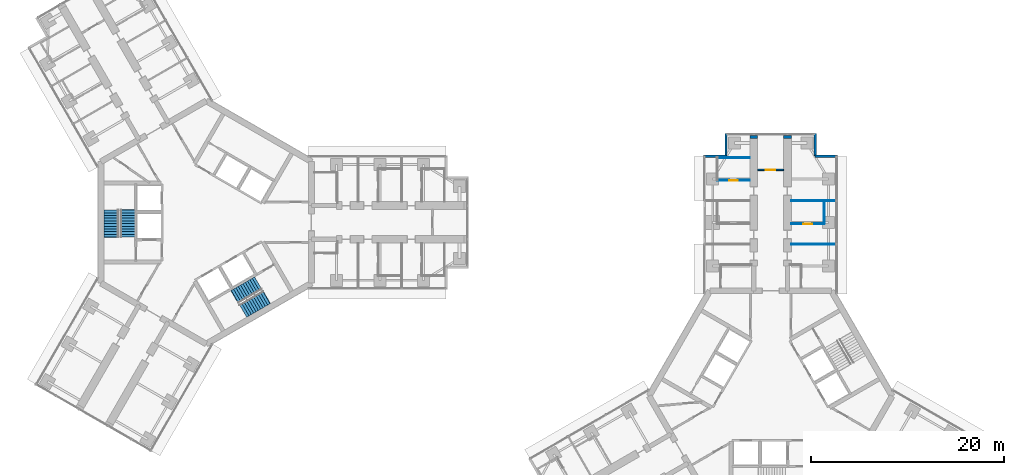
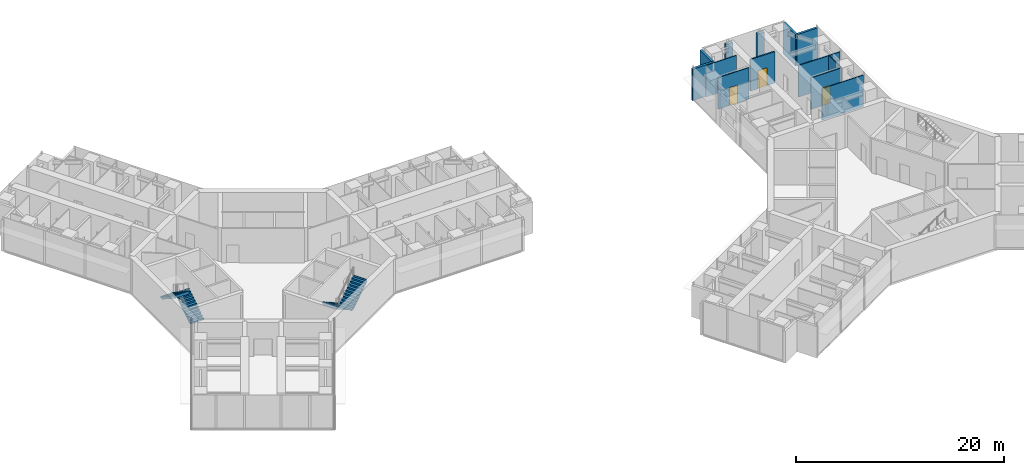
# One storey, part 21 of 23: 13 walls, 4 stair flights, 3 doors, 3 openings, 2 elements without a shape of their own.
"""IFC4 building model written with IfcOpenShell, lengths in metres."""

from ifc_helpers import new_model, si_unit, direction, frame, frame_2d, origin, place, context, subcontext, project, spatial, polyline, rectangle, outline, extrude, material, layer, layer_set, type_object, element, fill, aggregate, save


model = new_model("IFC4")

# Units and contexts
model_context = context("Model", 3, precision=1e-05, world=origin(), true_north=direction((0.0, 1.0)))
body_context = subcontext(model_context, "Body", "Model", "MODEL_VIEW")
ifc_project = project(units=[si_unit("LENGTHUNIT", "METRE"), si_unit("AREAUNIT", "SQUARE_METRE"), si_unit("VOLUMEUNIT", "CUBIC_METRE"), si_unit("PLANEANGLEUNIT", "RADIAN"), si_unit("MASSUNIT", "GRAM", prefix="KILO")], contexts=[model_context])

# Site, building, storey
site_placement = place(None, origin())
site = spatial("IfcSite", under=ifc_project, at=site_placement, CompositionType="ELEMENT")
building_placement = place(site_placement, origin())
building = spatial("IfcBuilding", under=site, at=building_placement, Name="Upepo Twin Towers", CompositionType="ELEMENT")
storey_placement = place(building_placement, frame((0.0, 0.0, 161.5)))
storey = spatial("IfcBuildingStorey", under=building, at=storey_placement, Name="L39", CompositionType="ELEMENT", Elevation=161.5)

# Walls
ifc_material_1 = material(Name="Dense concrete blockwork", Category="masonry")
ifc_layer_1 = layer(ifc_material_1, 0.800048828125)
ifc_layer_set_1 = layer_set([ifc_layer_1], Name="Buttress closer 800, blockwork with fire-stopping to the curtain wall")
wall_type_1 = type_object("IfcWallType", Name="Buttress closer 800, blockwork with fire-stopping to the curtain wall", PredefinedType="PARTITIONING", material=ifc_layer_set_1)
for number, where, z_axis, x_axis, name in (
    (1, (56.75, 8.699951171875, 0.0), (0.0, 0.0, 1.0), (0.0, 1.0, 0.0), "T2 L39 wing A buttress closer L"),
    (2, (60.25, 8.699951171875, 0.0), (0.0, 0.0, 1.0), (0.0, 1.0, 0.0), "T2 L39 wing A buttress closer R"),
):
    element("IfcWall", number, at=place(storey_placement, frame(where, z_axis=z_axis, x_axis=x_axis)), inside=storey, type_object=wall_type_1, Name=name, PredefinedType="PARTITIONING", context=body_context, shape_type="SweptSolid", body=[
        extrude(rectangle(XDim=0.300048828125, YDim=0.800048828125, at=frame_2d((0.14990234375, 0.0))), origin(), (0.0, 0.0, 1.0), 3.699951171875),
    ])
ifc_material_2 = material(Name="Blockwork with anodised aluminium cladding", Category="masonry")
ifc_layer_2 = layer(ifc_material_2, 0.25)
ifc_layer_set_2 = layer_set([ifc_layer_2], Name="Notch cladding wall 250, pale metal")
wall_type_2 = type_object("IfcWallType", Name="Notch cladding wall 250, pale metal", PredefinedType="STANDARD", material=ifc_layer_set_2)
for number, where, z_axis, x_axis, name in (
    (3, (51.550048828125, 6.875, 0.0), (0.0, 0.0, 1.0), (1.0, 0.0, 0.0), "T2 L39 wing A notch wall L1"),
    (4, (53.875, 6.875, 0.0), (0.0, 0.0, 1.0), (0.0, 1.0, 0.0), "T2 L39 wing A notch wall L2"),
    (5, (65.449951171875, 6.875, 0.0), (0.0, 0.0, 1.0), (-1.0, 0.0, 0.0), "T2 L39 wing A notch wall R1"),
    (6, (63.125, 6.875, 0.0), (0.0, 0.0, 1.0), (0.0, 1.0, 0.0), "T2 L39 wing A notch wall R2"),
):
    element("IfcWall", number, at=place(storey_placement, frame(where, z_axis=z_axis, x_axis=x_axis)), inside=storey, type_object=wall_type_2, Name=name, PredefinedType="STANDARD", context=body_context, shape_type="SweptSolid", body=[
        extrude(rectangle(XDim=2.324951171875, YDim=0.25, at=frame_2d((1.16259765625, 0.0))), origin(), (0.0, 0.0, 1.0), 3.699951171875),
    ])

# Wall, opening, door
ifc_material_3 = material(Name="Gypsum board on steel studs", Category="steel")
ifc_layer_3 = layer(ifc_material_3, 0.10009765625)
ifc_layer_set_3 = layer_set([ifc_layer_3], Name="Office partition 100 stud")
wall_type_3 = type_object("IfcWallType", Name="Office partition 100 stud", PredefinedType="PARTITIONING", material=ifc_layer_set_3)
wall_1_placement = place(storey_placement, frame((56.35009765625, 4.35009765625, 0.0), z_axis=(0.0, 0.0, 1.0), x_axis=(-1.0, 0.0, 0.0)))
wall_1 = element("IfcWall", 7, at=wall_1_placement, inside=storey, type_object=wall_type_3, Name="T2 inner room partition AL end at 22.35", PredefinedType="PARTITIONING", context=body_context, shape_type="SweptSolid", body=[
    extrude(rectangle(XDim=3.400146484375, YDim=0.10009765625, at=frame_2d((1.7001953125, 0.0))), origin(), (0.0, 0.0, 1.0), 3.699951171875),
])
opening_1_placement = place(wall_1_placement, frame((1.25, 0.0, 0.0)))
opening_1 = element("IfcOpeningElement", 8, at=opening_1_placement, cuts=wall_1, Name="Opening D14", PredefinedType="OPENING", context=body_context, shape_type="SweptSolid", body=[
    extrude(rectangle(XDim=0.89990234375, YDim=2.10009765625, at=frame_2d((0.449951171875, 1.050048828125))), frame((0.0, 0.06005859375, 0.0), z_axis=(0.0, -1.0, 0.0), x_axis=(1.0, 0.0, 0.0)), (0.0, 0.0, 1.0), 0.1201171875),
])
ifc_material_4 = material(Name="Timber doorset", Category="wood")
door_type_1 = type_object("IfcDoorType", Name="Office door 900 FD30", OperationType="SINGLE_SWING_LEFT", PredefinedType="DOOR", material=ifc_material_4)
door_1_placement = place(opening_1_placement, origin())
door_1 = element("IfcDoor", 9, at=door_1_placement, inside=storey, type_object=door_type_1, Name="T2 L39 inner room door", OperationType="SINGLE_SWING_LEFT", OverallHeight=2.10009765625, OverallWidth=0.89990234375, PredefinedType="DOOR", context=body_context, shape_type="SweptSolid", body=[
    extrude(rectangle(XDim=0.89990234375, YDim=2.10009765625, at=frame_2d((0.449951171875, 1.050048828125))), frame((0.0, 0.02490234375, 0.0), z_axis=(0.0, -1.0, 0.0), x_axis=(1.0, 0.0, 0.0)), (0.0, 0.0, 1.0), 0.050048828125),
])
fill(opening_1, door_1)

# Walls
wall_2_placement = place(storey_placement, frame((56.35009765625, 6.699951171875, 0.0), z_axis=(0.0, 0.0, 1.0), x_axis=(-1.0, 0.0, 0.0)))
element("IfcWall", 10, at=wall_2_placement, inside=storey, type_object=wall_type_3, Name="T2 inner room partition AL end at 24.75", PredefinedType="PARTITIONING", context=body_context, shape_type="SweptSolid", body=[
    extrude(rectangle(XDim=3.400146484375, YDim=0.10009765625, at=frame_2d((1.7001953125, 0.0))), origin(), (0.0, 0.0, 1.0), 3.699951171875),
])
for number, where, z_axis, x_axis, name in (
    (11, (60.64990234375, -2.25, 0.0), (0.0, 0.0, 1.0), (1.0, 0.0, 0.0), "T2 partition AR at 15.75"),
    (12, (60.64990234375, 2.25, 0.0), (0.0, 0.0, 1.0), (1.0, 0.0, 0.0), "T2 partition AR at 20.25"),
):
    element("IfcWall", number, at=place(storey_placement, frame(where, z_axis=z_axis, x_axis=x_axis)), inside=storey, type_object=wall_type_3, Name=name, PredefinedType="PARTITIONING", context=body_context, shape_type="SweptSolid", body=[
        extrude(rectangle(XDim=4.60009765625, YDim=0.10009765625, at=frame_2d((2.300048828125, 0.0))), origin(), (0.0, 0.0, 1.0), 3.699951171875),
    ])
wall_3_placement = place(storey_placement, frame((64.050048828125, -0.14990234375, 0.0), z_axis=(0.0, 0.0, 1.0), x_axis=(0.0, 1.0, 0.0)))
element("IfcWall", 13, at=wall_3_placement, inside=storey, type_object=wall_type_3, Name="T2 inner room partition AR at 17.85", PredefinedType="PARTITIONING", context=body_context, shape_type="SweptSolid", body=[
    extrude(rectangle(XDim=2.39990234375, YDim=0.10009765625, at=frame_2d((1.199951171875, 0.0))), origin(), (0.0, 0.0, 1.0), 3.699951171875),
])

# Wall, opening, door
wall_4_placement = place(storey_placement, frame((60.64990234375, -0.14990234375, 0.0), z_axis=(0.0, 0.0, 1.0), x_axis=(1.0, 0.0, 0.0)))
wall_4 = element("IfcWall", 14, at=wall_4_placement, inside=storey, type_object=wall_type_3, Name="T2 inner room partition AR end at 17.85", PredefinedType="PARTITIONING", context=body_context, shape_type="SweptSolid", body=[
    extrude(rectangle(XDim=3.400146484375, YDim=0.10009765625, at=frame_2d((1.7001953125, 0.0))), origin(), (0.0, 0.0, 1.0), 3.699951171875),
])
opening_2_placement = place(wall_4_placement, frame((1.25, 0.0, 0.0)))
opening_2 = element("IfcOpeningElement", 15, at=opening_2_placement, cuts=wall_4, Name="Opening D14", PredefinedType="OPENING", context=body_context, shape_type="SweptSolid", body=[
    extrude(rectangle(XDim=0.89990234375, YDim=2.10009765625, at=frame_2d((0.449951171875, 1.050048828125))), frame((0.0, 0.06005859375, 0.0), z_axis=(0.0, -1.0, 0.0), x_axis=(1.0, 0.0, 0.0)), (0.0, 0.0, 1.0), 0.1201171875),
])
door_2_placement = place(opening_2_placement, origin())
door_2 = element("IfcDoor", 16, at=door_2_placement, inside=storey, type_object=door_type_1, Name="T2 L39 inner room door", OperationType="SINGLE_SWING_LEFT", OverallHeight=2.10009765625, OverallWidth=0.89990234375, PredefinedType="DOOR", context=body_context, shape_type="SweptSolid", body=[
    extrude(rectangle(XDim=0.89990234375, YDim=2.10009765625, at=frame_2d((0.449951171875, 1.050048828125))), frame((0.0, 0.02490234375, 0.0), z_axis=(0.0, -1.0, 0.0), x_axis=(1.0, 0.0, 0.0)), (0.0, 0.0, 1.0), 0.050048828125),
])
fill(opening_2, door_2)

ifc_material_5 = material(Name="Gypsum board on steel studs", Category="steel")
ifc_layer_4 = layer(ifc_material_5, 0.14990234375)
ifc_layer_set_4 = layer_set([ifc_layer_4], Name="Teaching partition 150 acoustic")
wall_type_4 = type_object("IfcWallType", Name="Teaching partition 150 acoustic", PredefinedType="PARTITIONING", material=ifc_layer_set_4)
wall_5_placement = place(storey_placement, frame((59.85009765625, 5.449951171875, 0.0), z_axis=(0.0, 0.0, 1.0), x_axis=(-1.0, 0.0, 0.0)))
wall_5 = element("IfcWall", 17, at=wall_5_placement, inside=storey, type_object=wall_type_4, Name="T2 corridor end partition A at 23.45", PredefinedType="PARTITIONING", context=body_context, shape_type="SweptSolid", body=[
    extrude(rectangle(XDim=2.7001953125, YDim=0.14990234375, at=frame_2d((1.35009765625, 0.0))), origin(), (0.0, 0.0, 1.0), 3.699951171875),
])
opening_3_placement = place(wall_5_placement, frame((0.85009765625, 0.0, 0.0)))
opening_3 = element("IfcOpeningElement", 18, at=opening_3_placement, cuts=wall_5, Name="Opening D1", PredefinedType="OPENING", context=body_context, shape_type="SweptSolid", body=[
    extrude(rectangle(XDim=1.0, YDim=2.10009765625, at=frame_2d((0.5, 1.050048828125))), frame((0.0, 0.0849609375, 0.0), z_axis=(0.0, -1.0, 0.0), x_axis=(1.0, 0.0, 0.0)), (0.0, 0.0, 1.0), 0.169921875),
])
ifc_material_6 = material(Name="Timber doorset", Category="wood")
door_type_2 = type_object("IfcDoorType", Name="Room door 1000 FD30", OperationType="SINGLE_SWING_LEFT", PredefinedType="DOOR", material=ifc_material_6)
door_3_placement = place(opening_3_placement, origin())
door_3 = element("IfcDoor", 19, at=door_3_placement, inside=storey, type_object=door_type_2, Name="T2 L39 breakout study room door", OperationType="SINGLE_SWING_LEFT", OverallHeight=2.10009765625, OverallWidth=1.0, PredefinedType="DOOR", context=body_context, shape_type="SweptSolid", body=[
    extrude(rectangle(XDim=1.0, YDim=2.10009765625, at=frame_2d((0.5, 1.050048828125))), frame((0.0, 0.02490234375, 0.0), z_axis=(0.0, -1.0, 0.0), x_axis=(1.0, 0.0, 0.0)), (0.0, 0.0, 1.0), 0.050048828125),
])
fill(opening_3, door_3)

# Stair, stair flights
ifc_material_7 = material(Name="Concrete C40/50", Category="concrete")
stair_type = type_object("IfcStairType", Name="Core stair, two flights", PredefinedType="HALF_TURN_STAIR", material=ifc_material_7)
stair_1_placement = place(storey_placement, origin())
stair_1 = element("IfcStair", 20, at=stair_1_placement, inside=storey, type_object=stair_type, Name="T1 stair S1 L39", PredefinedType="HALF_TURN_STAIR")
ifc_material_8 = material(Name="Concrete C40/50", Category="concrete")
stair_flight_type = type_object("IfcStairFlightType", Name="Stair flight 1500 RC", PredefinedType="STRAIGHT", material=ifc_material_8)
stair_flight_1_placement = place(storey_placement, frame((-8.14990234375, -1.52001953125, 0.0), z_axis=(0.0, 0.0, 1.0), x_axis=(0.0, 1.0, 0.0)))
stair_flight_1 = element("IfcStairFlight", 21, at=stair_flight_1_placement, type_object=stair_flight_type, Name="Stair S1 flight 1", NumberOfRisers=11, NumberOfTreads=10, PredefinedType="STRAIGHT", RiserHeight=0.181818182, TreadLength=0.28, context=body_context, shape_type="SweptSolid", body=[
    extrude(outline(polyline([(0.0, 0.0), (0.0, 0.181884765625), (0.280029296875, 0.181884765625), (0.280029296875, 0.363525390625), (0.56005859375, 0.363525390625), (0.56005859375, 0.54541015625), (0.840087890625, 0.54541015625), (0.840087890625, 0.727294921875), (1.1201171875, 0.727294921875), (1.1201171875, 0.9091796875), (1.39990234375, 0.9091796875), (1.39990234375, 1.0908203125), (1.679931640625, 1.0908203125), (1.679931640625, 1.272705078125), (1.9599609375, 1.272705078125), (1.9599609375, 1.45458984375), (2.239990234375, 1.45458984375), (2.239990234375, 1.636474609375), (2.52001953125, 1.636474609375), (2.52001953125, 1.818115234375), (2.800048828125, 1.818115234375), (2.800048828125, 2.0), (2.85009765625, 2.0), (2.85009765625, 1.639404296875), (0.3251953125, 0.0), (0.0, 0.0)])), frame((0.0, 0.75, 0.0), z_axis=(0.0, -1.0, 0.0), x_axis=(1.0, 0.0, 0.0)), (0.0, 0.0, 1.0), 1.5),
])
stair_flight_2_placement = place(storey_placement, frame((-9.8583984375, 1.280029296875, 2.0), z_axis=(0.0, 0.0, 1.0), x_axis=(0.0, -1.0, 0.0)))
stair_flight_2 = element("IfcStairFlight", 22, at=stair_flight_2_placement, type_object=stair_flight_type, Name="Stair S1 flight 2", NumberOfRisers=11, NumberOfTreads=10, PredefinedType="STRAIGHT", RiserHeight=0.181818182, TreadLength=0.28, context=body_context, shape_type="SweptSolid", body=[
    extrude(outline(polyline([(0.0, 0.0), (0.0, 0.181884765625), (0.280029296875, 0.181884765625), (0.280029296875, 0.363525390625), (0.56005859375, 0.363525390625), (0.56005859375, 0.54541015625), (0.840087890625, 0.54541015625), (0.840087890625, 0.727294921875), (1.1201171875, 0.727294921875), (1.1201171875, 0.9091796875), (1.39990234375, 0.9091796875), (1.39990234375, 1.0908203125), (1.679931640625, 1.0908203125), (1.679931640625, 1.272705078125), (1.9599609375, 1.272705078125), (1.9599609375, 1.45458984375), (2.239990234375, 1.45458984375), (2.239990234375, 1.636474609375), (2.52001953125, 1.636474609375), (2.52001953125, 1.818115234375), (2.800048828125, 1.818115234375), (2.800048828125, 2.0), (2.85009765625, 2.0), (2.85009765625, 1.639404296875), (0.3251953125, 0.0), (0.0, 0.0)])), frame((0.0, 0.75, 0.0), z_axis=(0.0, -1.0, 0.0), x_axis=(1.0, 0.0, 0.0)), (0.0, 0.0, 1.0), 1.5),
])
aggregate(stair_1, [stair_flight_1, stair_flight_2])

stair_2_placement = place(storey_placement, origin())
stair_2 = element("IfcStair", 23, at=stair_2_placement, inside=storey, type_object=stair_type, Name="T1 stair S2 L39", PredefinedType="HALF_TURN_STAIR")
stair_flight_3_placement = place(storey_placement, frame((5.391357421875, -6.298095703125, 0.0), z_axis=(0.0, 0.0, 1.0), x_axis=(-0.866025403784, -0.5, 0.0)))
stair_flight_3 = element("IfcStairFlight", 24, at=stair_flight_3_placement, type_object=stair_flight_type, Name="Stair S2 flight 1", NumberOfRisers=11, NumberOfTreads=10, PredefinedType="STRAIGHT", RiserHeight=0.181818182, TreadLength=0.28, context=body_context, shape_type="SweptSolid", body=[
    extrude(outline(polyline([(0.0, 0.0), (0.0, 0.181884765625), (0.280029296875, 0.181884765625), (0.280029296875, 0.363525390625), (0.56005859375, 0.363525390625), (0.56005859375, 0.54541015625), (0.840087890625, 0.54541015625), (0.840087890625, 0.727294921875), (1.1201171875, 0.727294921875), (1.1201171875, 0.9091796875), (1.39990234375, 0.9091796875), (1.39990234375, 1.0908203125), (1.679931640625, 1.0908203125), (1.679931640625, 1.272705078125), (1.9599609375, 1.272705078125), (1.9599609375, 1.45458984375), (2.239990234375, 1.45458984375), (2.239990234375, 1.636474609375), (2.52001953125, 1.636474609375), (2.52001953125, 1.818115234375), (2.800048828125, 1.818115234375), (2.800048828125, 2.0), (2.85009765625, 2.0), (2.85009765625, 1.639404296875), (0.3251953125, 0.0), (0.0, 0.0)])), frame((0.0, 0.75, 0.0), z_axis=(0.0, -1.0, 0.0), x_axis=(1.0, 0.0, 0.0)), (0.0, 0.0, 1.0), 1.5),
])
stair_flight_4_placement = place(storey_placement, frame((3.820556640625, -9.177490234375, 2.0), z_axis=(0.0, 0.0, 1.0), x_axis=(0.866025403784, 0.5, 0.0)))
stair_flight_4 = element("IfcStairFlight", 25, at=stair_flight_4_placement, type_object=stair_flight_type, Name="Stair S2 flight 2", NumberOfRisers=11, NumberOfTreads=10, PredefinedType="STRAIGHT", RiserHeight=0.181818182, TreadLength=0.28, context=body_context, shape_type="SweptSolid", body=[
    extrude(outline(polyline([(0.0, 0.0), (0.0, 0.181884765625), (0.280029296875, 0.181884765625), (0.280029296875, 0.363525390625), (0.56005859375, 0.363525390625), (0.56005859375, 0.54541015625), (0.840087890625, 0.54541015625), (0.840087890625, 0.727294921875), (1.1201171875, 0.727294921875), (1.1201171875, 0.9091796875), (1.39990234375, 0.9091796875), (1.39990234375, 1.0908203125), (1.679931640625, 1.0908203125), (1.679931640625, 1.272705078125), (1.9599609375, 1.272705078125), (1.9599609375, 1.45458984375), (2.239990234375, 1.45458984375), (2.239990234375, 1.636474609375), (2.52001953125, 1.636474609375), (2.52001953125, 1.818115234375), (2.800048828125, 1.818115234375), (2.800048828125, 2.0), (2.85009765625, 2.0), (2.85009765625, 1.639404296875), (0.3251953125, 0.0), (0.0, 0.0)])), frame((0.0, 0.75, 0.0), z_axis=(0.0, -1.0, 0.0), x_axis=(1.0, 0.0, 0.0)), (0.0, 0.0, 1.0), 1.5),
])
aggregate(stair_2, [stair_flight_3, stair_flight_4])

save(model, "model.ifc")
